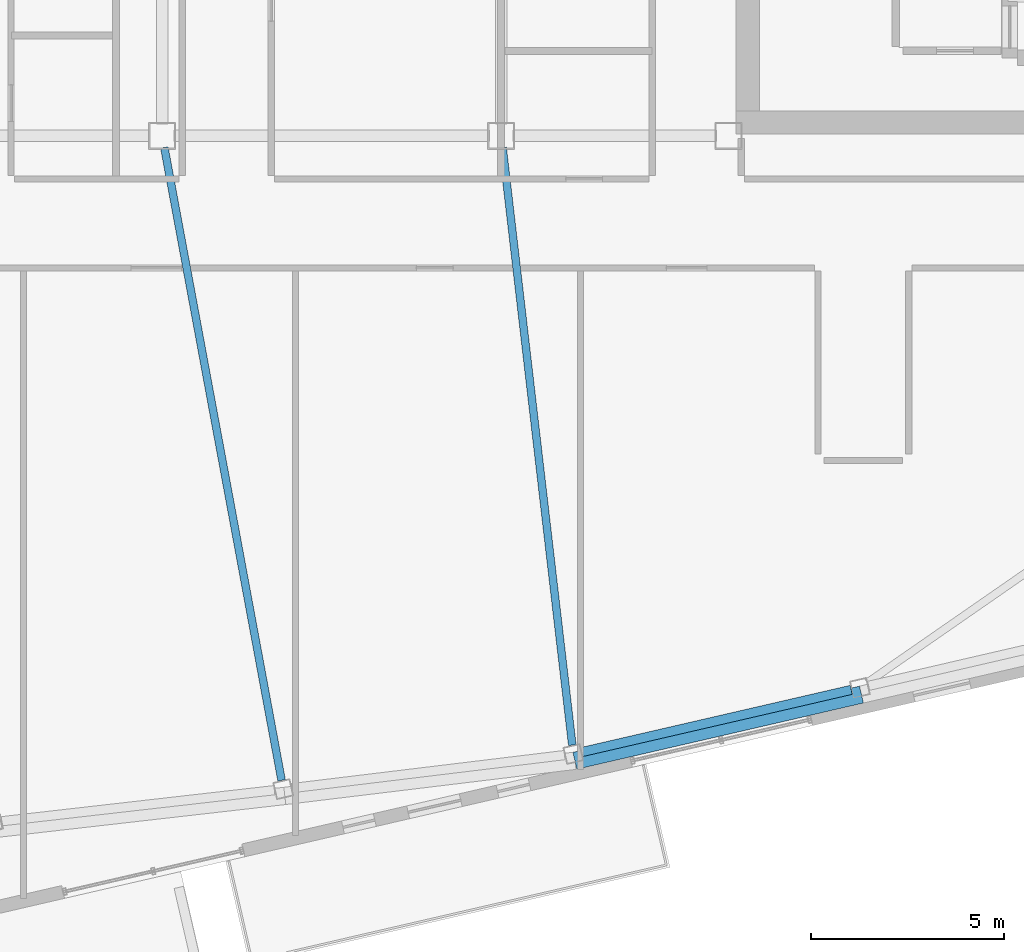
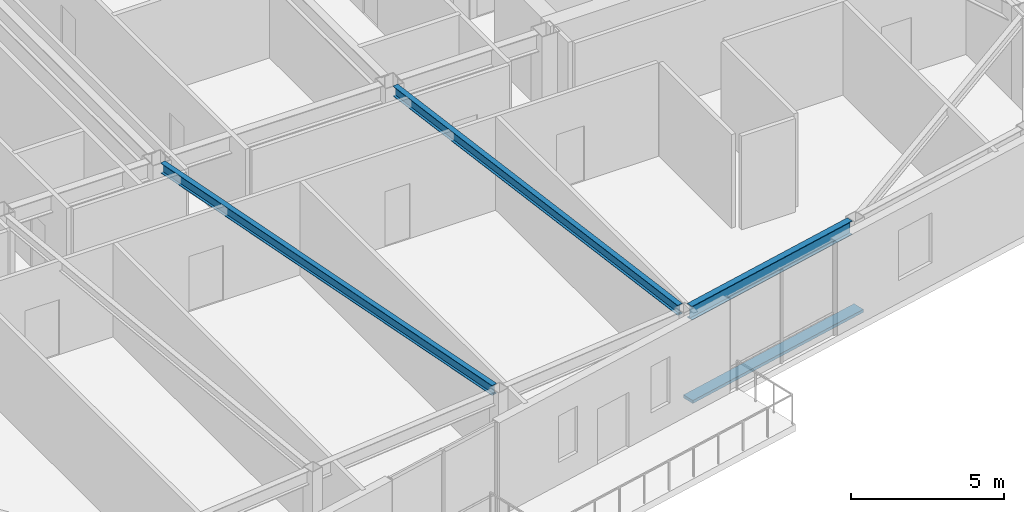
# One storey, part 8 of 23: 3 beams, 1 member.
"""IFC4 building model written with IfcOpenShell, lengths in metres."""

from ifc_helpers import new_model, si_unit, direction, frame, origin, origin_2d, place, context, subcontext, project, spatial, rectangle, i_section, extrude, material, material_profile, profile_set, type_object, element, save


model = new_model("IFC4")

# Units and contexts
model_context = context("Model", 3, precision=1e-05, world=origin(), true_north=direction((0.0, 1.0)))
body_context = subcontext(model_context, "Body", "Model", "MODEL_VIEW")
ifc_project = project(units=[si_unit("LENGTHUNIT", "METRE"), si_unit("AREAUNIT", "SQUARE_METRE"), si_unit("VOLUMEUNIT", "CUBIC_METRE"), si_unit("PLANEANGLEUNIT", "RADIAN"), si_unit("MASSUNIT", "GRAM", prefix="KILO")], contexts=[model_context])

# Site, building, storey
site_placement = place(None, origin())
site = spatial("IfcSite", under=ifc_project, at=site_placement, CompositionType="ELEMENT")
building_placement = place(site_placement, origin())
building = spatial("IfcBuilding", under=site, at=building_placement, Name="Tavrogorsk Clinical Tower", CompositionType="ELEMENT")
storey_placement = place(building_placement, frame((0.0, 0.0, 289.0)))
storey = spatial("IfcBuildingStorey", under=building, at=storey_placement, Name="L67", CompositionType="ELEMENT", Elevation=289.0)

# Member
ifc_material_1 = material(Name="Anodised aluminium alloy AW-6063", Category="aluminium")
ifc_material_profile_1 = material_profile(ifc_material_1, rectangle(XDim=0.449951171875, YDim=0.1201171875, at=origin_2d()), Name="ALU-SUNSHADE-450x120")
ifc_profile_set_1 = profile_set([ifc_material_profile_1], Name="Anodised aluminium alloy AW-6063")
member_type = type_object("IfcMemberType", Name="ChicagoSunshade_450x120", PredefinedType="USERDEFINED", material=ifc_profile_set_1)
member_placement = place(storey_placement, frame((6.313232421875, -22.572509765625, 0.179931640625), z_axis=(0.97436370007, 0.224978621176, 0.0), x_axis=(-0.224978621176, 0.97436370007, 0.0)))
element("IfcMember", 1, at=member_placement, inside=storey, type_object=member_type, Name="L67 South Aluminium Sunshade S5", ObjectType="SUNSHADE", PredefinedType="USERDEFINED", context=body_context, shape_type="SweptSolid", body=[
    extrude(rectangle(XDim=0.449951171875, YDim=0.1201171875, at=origin_2d()), origin(), (0.0, 0.0, 1.0), 7.63427734375),
])

# Beams
ifc_material_2 = material(Name="Structural steel S355", Category="steel")
ifc_material_profile_2 = material_profile(ifc_material_2, i_section(OverallWidth=0.199951171875, OverallDepth=0.39990234375, WebThickness=0.010498046875, FlangeThickness=0.01611328125, at=origin_2d()), Name="B-400x200x10.5x16")
ifc_profile_set_2 = profile_set([ifc_material_profile_2], Name="Structural steel S355")
beam_type_1 = type_object("IfcBeamType", Name="FloorBeam_B400", PredefinedType="BEAM", material=ifc_profile_set_2)
beam_1_placement = place(storey_placement, frame((-4.343505859375, -6.65478515625, 3.5400390625), z_axis=(0.182181887688, -0.98326484723, 0.0), x_axis=(0.98326484723, 0.182181887688, 0.0)))
element("IfcBeam", 2, at=beam_1_placement, inside=storey, type_object=beam_type_1, Name="L67 Radial Floor Beam S4", PredefinedType="BEAM", context=body_context, shape_type="SweptSolid", body=[
    extrude(i_section(OverallWidth=0.199951171875, OverallDepth=0.39990234375, WebThickness=0.010498046875, FlangeThickness=0.01611328125, at=origin_2d()), origin(), (0.0, 0.0, 1.0), 16.70556640625),
])
beam_2_placement = place(storey_placement, frame((4.43603515625, -6.657958984375, 3.5400390625), z_axis=(0.115903069025, -0.993260529061, 0.0), x_axis=(0.993260529061, 0.115903069025, 0.0)))
element("IfcBeam", 3, at=beam_2_placement, inside=storey, type_object=beam_type_1, Name="L67 Radial Floor Beam S5", PredefinedType="BEAM", context=body_context, shape_type="SweptSolid", body=[
    extrude(i_section(OverallWidth=0.199951171875, OverallDepth=0.39990234375, WebThickness=0.010498046875, FlangeThickness=0.01611328125, at=origin_2d()), origin(), (0.0, 0.0, 1.0), 15.61279296875),
])
ifc_material_3 = material(Name="Structural steel S390", Category="steel")
ifc_material_profile_3 = material_profile(ifc_material_3, i_section(OverallWidth=0.239990234375, OverallDepth=0.550048828125, WebThickness=0.013916015625, FlangeThickness=0.02197265625, at=origin_2d()), Name="B-550x240x14x22")
ifc_profile_set_3 = profile_set([ifc_material_profile_3], Name="Structural steel S390")
beam_type_2 = type_object("IfcBeamType", Name="SpandrelBeam_B550", PredefinedType="SPANDREL", material=ifc_profile_set_3)
beam_3_placement = place(storey_placement, frame((6.499755859375, -22.344482421875, 3.465087890625), z_axis=(0.974369378592, 0.224954026551, 0.0), x_axis=(-0.224954026551, 0.974369378592, 0.0)))
element("IfcBeam", 4, at=beam_3_placement, inside=storey, type_object=beam_type_2, Name="L67 Perimeter Spandrel S5-S6", PredefinedType="SPANDREL", context=body_context, shape_type="SweptSolid", body=[
    extrude(i_section(OverallWidth=0.239990234375, OverallDepth=0.550048828125, WebThickness=0.013916015625, FlangeThickness=0.02197265625, at=origin_2d()), origin(), (0.0, 0.0, 1.0), 7.16845703125),
])

save(model, "model.ifc")
